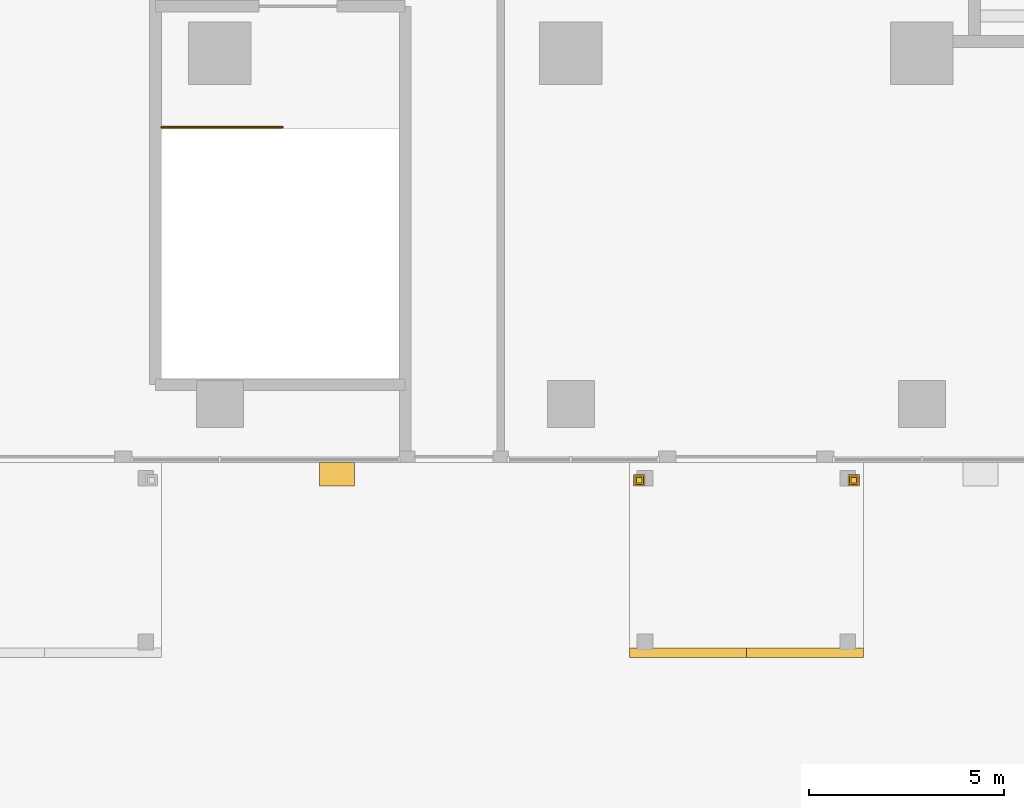
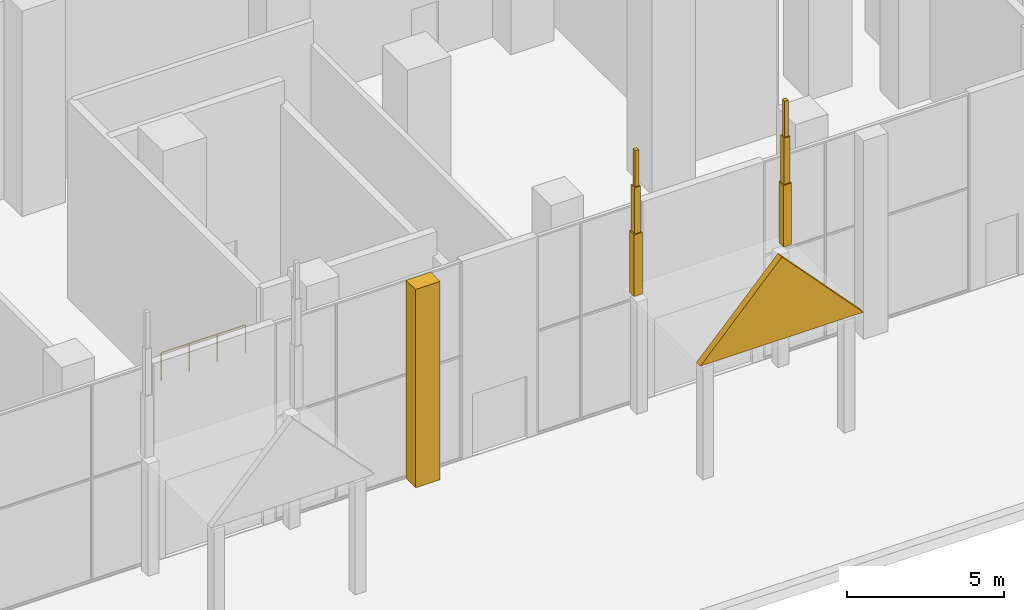
# One storey, part 45 of 54: 8 coverings, 1 railing.
"""IFC4 building model written with IfcOpenShell, lengths in metres."""

from ifc_helpers import new_model, si_unit, direction, frame, origin, origin_2d, place, context, subcontext, project, spatial, polyline, rectangle, circle, outline, extrude, material, layer, layer_set, type_object, element, save


model = new_model("IFC4")

# Units and contexts
model_context = context("Model", 3, precision=1e-05, world=origin(), true_north=direction((0.0, 1.0)))
body_context = subcontext(model_context, "Body", "Model", "MODEL_VIEW")
ifc_project = project(units=[si_unit("LENGTHUNIT", "METRE"), si_unit("AREAUNIT", "SQUARE_METRE"), si_unit("VOLUMEUNIT", "CUBIC_METRE"), si_unit("PLANEANGLEUNIT", "RADIAN"), si_unit("MASSUNIT", "GRAM", prefix="KILO")], contexts=[model_context])

# Site, building, storey
site_placement = place(None, origin())
site = spatial("IfcSite", under=ifc_project, at=site_placement, CompositionType="ELEMENT")
building_placement = place(site_placement, origin())
building = spatial("IfcBuilding", under=site, at=building_placement, Name="Ogive Portal Towers", CompositionType="ELEMENT")
storey_placement = place(building_placement, origin())
storey = spatial("IfcBuildingStorey", under=building, at=storey_placement, Name="L00", CompositionType="ELEMENT", Elevation=0.0)

# Coverings
ifc_material_1 = material(Name="Limestone cladding on lightweight block wall", Category="masonry")
ifc_layer_1 = layer(ifc_material_1, 0.139892578125)
ifc_layer_set_1 = layer_set([ifc_layer_1], Name="CROWN PINNACLE FINIAL STONE")
covering_type_1 = type_object("IfcCoveringType", Name="CROWN PINNACLE FINIAL STONE", PredefinedType="CLADDING", material=ifc_layer_set_1)
for number, where, z_axis, x_axis, name in (
    (1, (78.25, 10.550048828125, 8.800048828125), (0.0, 0.0, 1.0), (1.0, 0.0, 0.0), "PINNACLE"),
    (2, (83.75, 10.550048828125, 8.800048828125), (0.0, 0.0, 1.0), (1.0, 0.0, 0.0), "PINNACLE"),
):
    element("IfcCovering", number, at=place(storey_placement, frame(where, z_axis=z_axis, x_axis=x_axis)), inside=storey, type_object=covering_type_1, Name=name, PredefinedType="CLADDING", context=body_context, shape_type="SweptSolid", body=[
        extrude(rectangle(XDim=0.139892578125, YDim=0.139892578125, at=origin_2d()), origin(), (0.0, 0.0, 1.0), 1.39990234375),
    ])
ifc_layer_2 = layer(ifc_material_1, 0.219970703125)
ifc_layer_set_2 = layer_set([ifc_layer_2], Name="CROWN PINNACLE MID STONE")
covering_type_2 = type_object("IfcCoveringType", Name="CROWN PINNACLE MID STONE", PredefinedType="CLADDING", material=ifc_layer_set_2)
for number, where, z_axis, x_axis, name in (
    (3, (78.25, 10.550048828125, 7.0), (0.0, 0.0, 1.0), (1.0, 0.0, 0.0), "PINNACLE"),
    (4, (83.75, 10.550048828125, 7.0), (0.0, 0.0, 1.0), (1.0, 0.0, 0.0), "PINNACLE"),
):
    element("IfcCovering", number, at=place(storey_placement, frame(where, z_axis=z_axis, x_axis=x_axis)), inside=storey, type_object=covering_type_2, Name=name, PredefinedType="CLADDING", context=body_context, shape_type="SweptSolid", body=[
        extrude(rectangle(XDim=0.219970703125, YDim=0.219970703125, at=origin_2d()), origin(), (0.0, 0.0, 1.0), 1.800048828125),
    ])
ifc_layer_3 = layer(ifc_material_1, 0.300048828125)
ifc_layer_set_3 = layer_set([ifc_layer_3], Name="CROWN PINNACLE SHAFT STONE")
covering_type_3 = type_object("IfcCoveringType", Name="CROWN PINNACLE SHAFT STONE", PredefinedType="CLADDING", material=ifc_layer_set_3)
for number, where, z_axis, x_axis, name in (
    (5, (78.25, 10.550048828125, 4.60009765625), (0.0, 0.0, 1.0), (1.0, 0.0, 0.0), "PINNACLE"),
    (6, (83.75, 10.550048828125, 4.60009765625), (0.0, 0.0, 1.0), (1.0, 0.0, 0.0), "PINNACLE"),
):
    element("IfcCovering", number, at=place(storey_placement, frame(where, z_axis=z_axis, x_axis=x_axis)), inside=storey, type_object=covering_type_3, Name=name, PredefinedType="CLADDING", context=body_context, shape_type="SweptSolid", body=[
        extrude(rectangle(XDim=0.300048828125, YDim=0.300048828125, at=origin_2d()), origin(), (0.0, 0.0, 1.0), 2.39990234375),
    ])

# Railing
ifc_material_2 = material(Name="Stainless steel balustrade", Category="steel")
railing_type = type_object("IfcRailingType", Name="INT-GUARD", PredefinedType="GUARDRAIL", material=ifc_material_2)
railing_placement = place(storey_placement, frame((66.0, 19.60009765625, 0.0)))
element("IfcRailing", 7, at=railing_placement, inside=storey, type_object=railing_type, Name="L00 ST-S1 top well guard 1", PredefinedType="GUARDRAIL", context=body_context, shape_type="SweptSolid", body=[
    extrude(circle(Radius=0.02392578125, at=origin_2d()), frame((0.0, 0.0, 1.076171875), z_axis=(1.0, 0.0, 0.0), x_axis=(0.0, 1.0, 0.0)), (0.0, 0.0, 1.0), 3.10009765625),
    extrude(circle(Radius=0.02099609375, at=origin_2d()), origin(), (0.0, 0.0, 1.0), 1.052001953125),
    extrude(circle(Radius=0.02099609375, at=origin_2d()), frame((1.033447265625, 0.0, 0.0)), (0.0, 0.0, 1.0), 1.052001953125),
    extrude(circle(Radius=0.02099609375, at=origin_2d()), frame((2.066650390625, 0.0, 0.0)), (0.0, 0.0, 1.0), 1.052001953125),
    extrude(circle(Radius=0.02099609375, at=origin_2d()), frame((3.10009765625, 0.0, 0.0)), (0.0, 0.0, 1.0), 1.052001953125),
])

# Coverings
ifc_layer_4 = layer(ifc_material_1, 0.25)
ifc_layer_set_4 = layer_set([ifc_layer_4], Name="PORCH GABLE STONE")
covering_type_4 = type_object("IfcCoveringType", Name="PORCH GABLE STONE", PredefinedType="CLADDING", material=ifc_layer_set_4)
covering_1_placement = place(storey_placement, frame((78.0, 6.0, 4.60009765625), z_axis=(0.0, -1.0, 0.0), x_axis=(1.0, 0.0, 0.0)))
element("IfcCovering", 8, at=covering_1_placement, inside=storey, type_object=covering_type_4, Name="PORCH GABLE 2", PredefinedType="CLADDING", context=body_context, shape_type="SweptSolid", body=[
    extrude(outline(polyline([(0.0, 0.0), (6.0, 0.0), (3.0, 3.199951171875), (0.0, 0.0)])), origin(), (0.0, 0.0, -1.0), 0.25),
])
ifc_layer_5 = layer(ifc_material_1, 0.60009765625)
ifc_layer_set_5 = layer_set([ifc_layer_5], Name="SHOPFRONT PIER STONE")
covering_type_5 = type_object("IfcCoveringType", Name="SHOPFRONT PIER STONE", PredefinedType="CLADDING", material=ifc_layer_set_5)
covering_2_placement = place(storey_placement, frame((70.5, 10.699951171875, -0.02001953125), z_axis=(0.0, 0.0, 1.0), x_axis=(1.0, 0.0, 0.0)))
element("IfcCovering", 9, at=covering_2_placement, inside=storey, type_object=covering_type_5, Name="SHOPFRONT PIER", PredefinedType="CLADDING", context=body_context, shape_type="SweptSolid", body=[
    extrude(rectangle(XDim=0.89990234375, YDim=0.60009765625, at=origin_2d()), origin(), (0.0, 0.0, 1.0), 7.719970703125),
])

save(model, "model.ifc")
